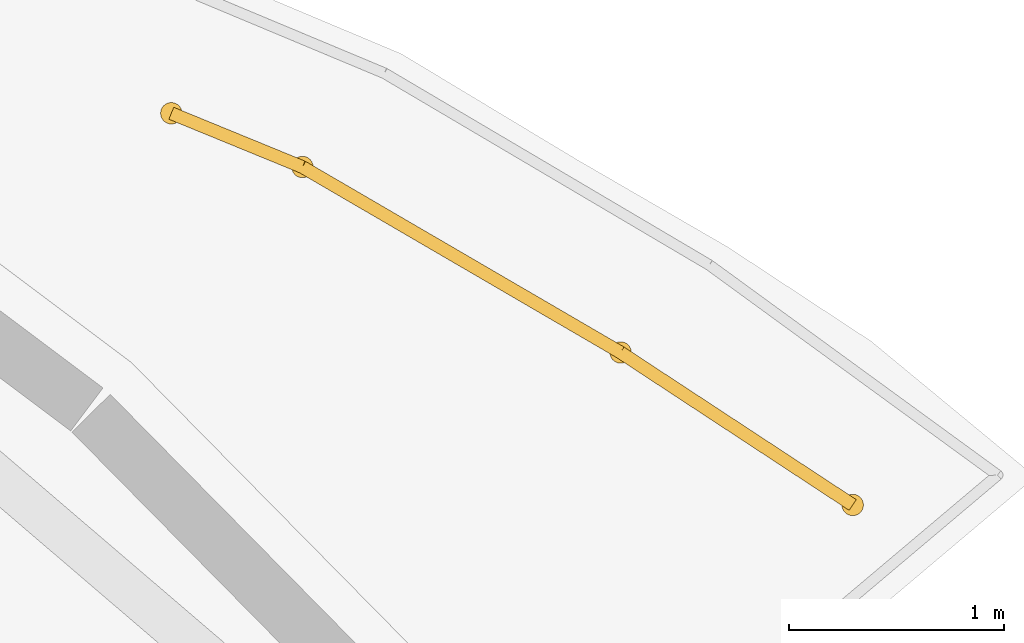
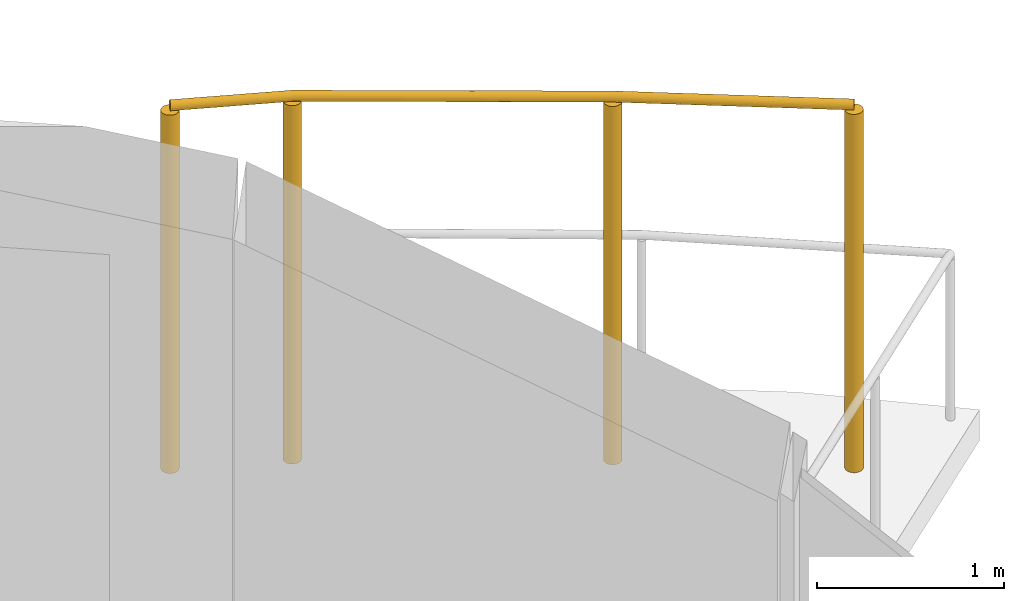
# One storey, part 15 of 15: 1 railing.
"""IFC4 building model written with IfcOpenShell, lengths in metres."""

import ifcopenshell
import ifcopenshell.guid

model = None  # the IFC model being written
_history = None  # IfcOwnerHistory: only IFC2X3 demands one
_inside = {}  # id of a spatial element -> (the spatial element, [elements in it])
_under = {}  # id of a project, library or spatial element -> (it, [spatial elements below it])
_declared = {}  # id of a project -> (the project, [libraries it declares])
_typed = {}  # id of a type object -> (the type object, [elements of that type])
_made_of = {}  # id of a material, layer set ... -> (it, [elements and type objects made of it])


def new_model(schema):
    """Start an empty IFC model of exactly this schema.

    Asked for "IFC4X3", IfcOpenShell would pick the latest addendum, in which some entities
    have other attributes; the version numbers below select the first issue.
    IFC2X3 requires an IfcOwnerHistory on every rooted entity: one is made here for all.
    """
    global model, _history
    if schema == "IFC4X3":
        model = ifcopenshell.file(schema_version=(4, 3, 0, 0))
    else:
        model = ifcopenshell.file(schema=schema)
    _inside.clear()
    _under.clear()
    _declared.clear()
    _typed.clear()
    _made_of.clear()
    _history = None
    if model.schema == "IFC2X3":
        org = make("IfcOrganization", Name="unknown")
        user = make(
            "IfcPersonAndOrganization",
            ThePerson=make("IfcPerson", FamilyName="unknown"),
            TheOrganization=org,
        )
        app = make(
            "IfcApplication",
            ApplicationDeveloper=org,
            Version="unknown",
            ApplicationFullName="unknown",
            ApplicationIdentifier="unknown",
        )
        _history = make(
            "IfcOwnerHistory",
            OwningUser=user,
            OwningApplication=app,
            ChangeAction="ADDED",
            CreationDate=0,
        )
    return model


def make(cls, **values):
    """One entity of the class cls with the attributes given. An attribute that is None is left unset."""
    return model.create_entity(
        cls, **{name: value for name, value in values.items() if value is not None}
    )


def rooted(cls, **values):
    """An entity with a GlobalId (a new one), such as an element, a storey or a relation."""
    return make(cls, GlobalId=ifcopenshell.guid.new(), OwnerHistory=_history, **values)


def si_unit(unit_type, name, prefix=None):
    """IfcSIUnit, for example si_unit("LENGTHUNIT", "METRE", prefix="MILLI")."""
    return make("IfcSIUnit", UnitType=unit_type, Prefix=prefix, Name=name)


def assignment(units):
    """IfcUnitAssignment: the units of a project."""
    return None if units is None else make("IfcUnitAssignment", Units=units)


def point(xyz):
    """IfcCartesianPoint."""
    return None if xyz is None else make("IfcCartesianPoint", Coordinates=xyz)


def direction(xyz):
    """IfcDirection."""
    return None if xyz is None else make("IfcDirection", DirectionRatios=xyz)


def frame(location, z_axis=None, x_axis=None):
    """IfcAxis2Placement3D, a coordinate frame: its origin and axes. An axis left out is left unset."""
    return make(
        "IfcAxis2Placement3D",
        Location=point(location),
        Axis=direction(z_axis),
        RefDirection=direction(x_axis),
    )


def frame_2d(location, x_axis=None):
    """IfcAxis2Placement2D, a coordinate frame in the plane: its origin and x axis."""
    return make(
        "IfcAxis2Placement2D", Location=point(location), RefDirection=direction(x_axis)
    )


def origin():
    """The frame at (0, 0, 0) with its axes left unset."""
    return frame((0.0, 0.0, 0.0))


def origin_2d():
    """The frame at (0, 0) in the plane with its x axis left unset."""
    return frame_2d((0.0, 0.0))


def place(relative_to, where):
    """IfcLocalPlacement: puts the frame where relative to a parent placement (None: the world)."""
    return make(
        "IfcLocalPlacement", PlacementRelTo=relative_to, RelativePlacement=where
    )


def context(
    kind, dimensions, precision=None, world=None, true_north=None, identifier=None
):
    """IfcGeometricRepresentationContext, for example the 3D "Model" context."""
    return make(
        "IfcGeometricRepresentationContext",
        ContextIdentifier=identifier,
        ContextType=kind,
        CoordinateSpaceDimension=dimensions,
        Precision=precision,
        WorldCoordinateSystem=world,
        TrueNorth=true_north,
    )


def subcontext(parent, identifier, kind, view, scale=None):
    """IfcGeometricRepresentationSubContext, for example "Body" below "Model"."""
    return make(
        "IfcGeometricRepresentationSubContext",
        ContextIdentifier=identifier,
        ContextType=kind,
        ParentContext=parent,
        TargetScale=scale,
        TargetView=view,
    )


def project(units=None, contexts=None):
    """IfcProject with its units and contexts."""
    return rooted(
        "IfcProject",
        Name="project",
        RepresentationContexts=contexts,
        UnitsInContext=assignment(units),
    )


def spatial(cls, under=None, at=None, **own):
    """A site, building, storey or space (cls), placed at a placement, below another one or the project."""
    s = rooted(cls, ObjectPlacement=at, **own)
    if under is not None:
        _under.setdefault(under.id(), (under, []))[1].append(s)
    return s


def profile(cls, at=None, kind="AREA", **sizes):
    """A parametric profile (cls). Its sizes go by their IFC names, for example OverallWidth=200.0."""
    return make(cls, ProfileType=kind, Position=at, **sizes)


def circle(**sizes):
    """IfcCircleProfileDef."""
    return profile("IfcCircleProfileDef", **sizes)


def extrude(swept, where, along, depth):
    """IfcExtrudedAreaSolid: the profile swept, set in the frame where, extruded along a direction by depth."""
    return make(
        "IfcExtrudedAreaSolid",
        SweptArea=swept,
        Position=where,
        ExtrudedDirection=direction(along),
        Depth=depth,
    )


def shape(context_of_items, identifier, shape_type, items):
    """IfcShapeRepresentation: the items that make up one representation, for example the "Body"."""
    return make(
        "IfcShapeRepresentation",
        ContextOfItems=context_of_items,
        RepresentationIdentifier=identifier,
        RepresentationType=shape_type,
        Items=items,
    )


def material(Name=None, Category=None):
    """IfcMaterial."""
    return make("IfcMaterial", Name=Name, Category=Category)


def made_of(thing, what):
    """Note that an element or type object is made of a material, layer set ...; save() writes the relation."""
    if what is not None:
        _made_of.setdefault(what.id(), (what, []))[1].append(thing)
    return thing


def type_object(cls, material=None, **own):
    """A type object (cls), such as IfcWallType, which elements share."""
    return made_of(rooted(cls, **own), material)


def element(
    cls,
    number,
    at=None,
    inside=None,
    cuts=None,
    type_object=None,
    material=None,
    context=None,
    identifier="Body",
    shape_type=None,
    held_by="IfcProductDefinitionShape",
    body=None,
    shapes=None,
    **own,
):
    """One element of the class cls, such as IfcWall. Its Tag is "e" and its number.

    at: its placement. inside: the storey or other place that contains it. cuts: it is an
    opening in that element (IfcRelVoidsElement). A single representation is given by context,
    identifier, shape_type and body (its items); several are given by shapes. held_by: the class
    of the entity that holds the representations. save() writes the other relations.
    """
    e = rooted(cls, Tag="e%d" % number, ObjectPlacement=at, **own)
    if body is not None:
        shapes = [shape(context, identifier, shape_type, body)]
    if shapes is not None:
        e.Representation = make(held_by, Representations=shapes)
    if inside is not None:
        _inside.setdefault(inside.id(), (inside, []))[1].append(e)
    if cuts is not None:
        rooted(
            "IfcRelVoidsElement", RelatingBuildingElement=cuts, RelatedOpeningElement=e
        )
    if type_object is not None:
        _typed.setdefault(type_object.id(), (type_object, []))[1].append(e)
    return made_of(e, material)


def aggregate(whole, parts):
    """IfcRelAggregates: a whole, such as a stair, and the parts it consists of."""
    return rooted("IfcRelAggregates", RelatingObject=whole, RelatedObjects=parts)


def save(model, path):
    """Write the relations noted so far, then the file.

    IfcRelAggregates (storeys below a building ...), IfcRelContainedInSpatialStructure (elements
    in a storey), IfcRelDefinesByType, IfcRelAssociatesMaterial and IfcRelDeclares: one each for
    every whole, place, type object, material and project.
    """
    for whole, parts in _under.values():
        aggregate(whole, parts)
    for where, things in _inside.values():
        rooted(
            "IfcRelContainedInSpatialStructure",
            RelatedElements=things,
            RelatingStructure=where,
        )
    for kind, things in _typed.values():
        rooted("IfcRelDefinesByType", RelatedObjects=things, RelatingType=kind)
    for what, things in _made_of.values():
        rooted("IfcRelAssociatesMaterial", RelatedObjects=things, RelatingMaterial=what)
    for by, libraries in _declared.values():
        rooted("IfcRelDeclares", RelatingContext=by, RelatedDefinitions=libraries)
    model.write(path)


model = new_model("IFC4")

# Units and contexts
model_context = context("Model", 3, precision=1e-05, world=origin(), true_north=direction((0.0, 1.0)))
body_context = subcontext(model_context, "Body", "Model", "MODEL_VIEW")
ifc_project = project(units=[si_unit("LENGTHUNIT", "METRE"), si_unit("AREAUNIT", "SQUARE_METRE"), si_unit("VOLUMEUNIT", "CUBIC_METRE"), si_unit("PLANEANGLEUNIT", "RADIAN"), si_unit("MASSUNIT", "GRAM", prefix="KILO")], contexts=[model_context])

# Site, building, storey
site_placement = place(None, origin())
site = spatial("IfcSite", under=ifc_project, at=site_placement, CompositionType="ELEMENT")
building_placement = place(site_placement, origin())
building = spatial("IfcBuilding", under=site, at=building_placement, Name="Vermilion Reach Broadcast Tower", CompositionType="ELEMENT")
storey_placement = place(building_placement, frame((0.0, 0.0, 121.0)))
storey = spatial("IfcBuildingStorey", under=building, at=storey_placement, Name="L28", CompositionType="ELEMENT", Elevation=121.0)

# Railing
ifc_material = material(Name="Terracotta baguette", Category="masonry")
railing_type = type_object("IfcRailingType", Name="BAGUETTE SCREEN", PredefinedType="USERDEFINED", material=ifc_material)
railing_placement = place(storey_placement, frame((18.389892578125, 17.509765625, 0.0)))
element("IfcRailing", 1, at=railing_placement, inside=storey, type_object=railing_type, Name="Baguette screen L28 group 1 part 1", ObjectType="BAGUETTE SCREEN", PredefinedType="USERDEFINED", context=body_context, shape_type="SweptSolid", body=[
    extrude(circle(Radius=0.030029296875, at=origin_2d()), frame((0.0, 0.0, 2.369873046875), z_axis=(-0.835750046243, 0.549110062014, 0.0), x_axis=(-0.549110062014, -0.835750046243, 0.0)), (0.0, 0.0, 1.0), 1.29296875),
    extrude(circle(Radius=0.030029296875, at=origin_2d()), frame((-1.08056640625, 0.7099609375, 2.369873046875), z_axis=(-0.863944100381, 0.503587719685, 0.0), x_axis=(-0.503587719685, -0.863944100381, 0.0)), (0.0, 0.0, 1.0), 1.71484375),
    extrude(circle(Radius=0.030029296875, at=origin_2d()), frame((-2.56201171875, 1.573486328125, 2.369873046875), z_axis=(-0.925305138661, 0.379223417484, 0.0), x_axis=(-0.379223417484, -0.925305138661, 0.0)), (0.0, 0.0, 1.0), 0.659912109375),
    extrude(circle(Radius=0.050048828125, at=origin_2d()), origin(), (0.0, 0.0, 1.0), 2.33984375),
    extrude(circle(Radius=0.050048828125, at=origin_2d()), frame((-1.08056640625, 0.7099609375, 0.0)), (0.0, 0.0, 1.0), 2.33984375),
    extrude(circle(Radius=0.050048828125, at=origin_2d()), frame((-2.56201171875, 1.573486328125, 0.0)), (0.0, 0.0, 1.0), 2.33984375),
    extrude(circle(Radius=0.050048828125, at=origin_2d()), frame((-3.172607421875, 1.82373046875, 0.0)), (0.0, 0.0, 1.0), 2.33984375),
])

save(model, "model.ifc")
